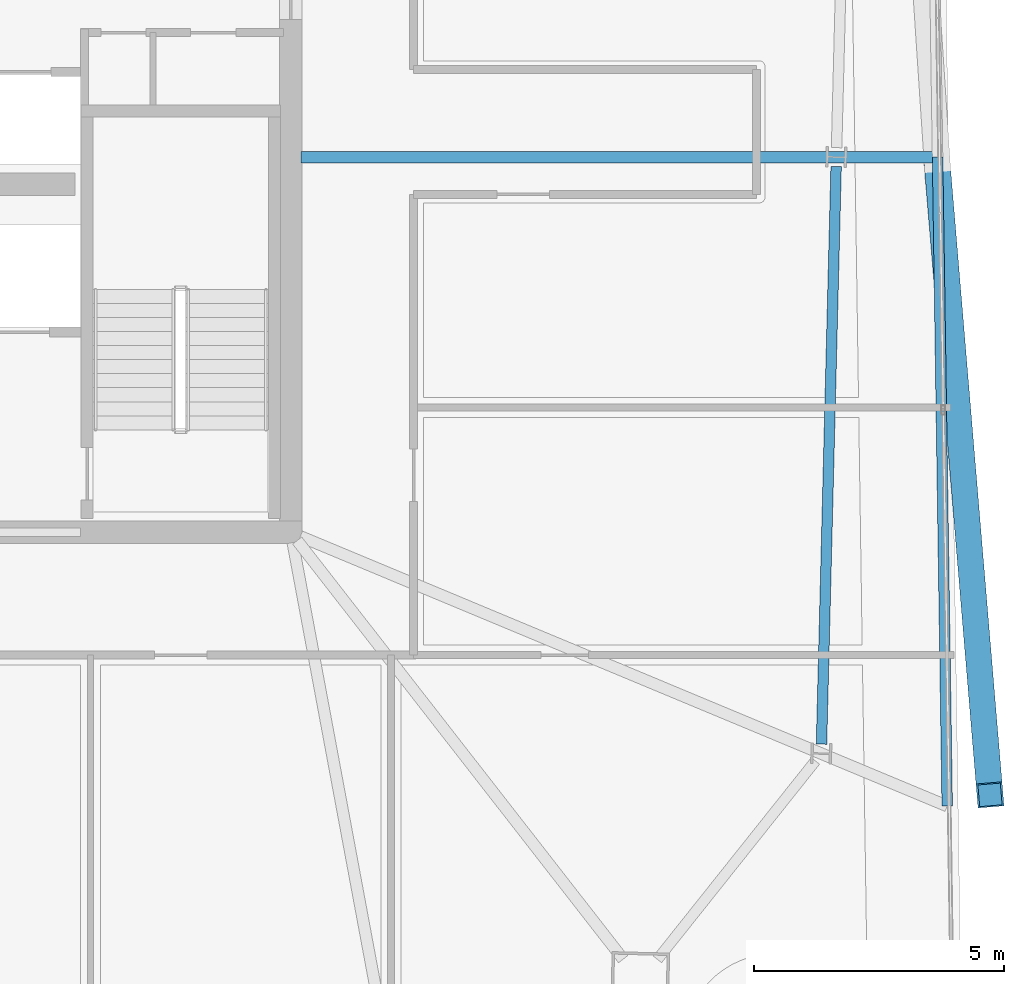
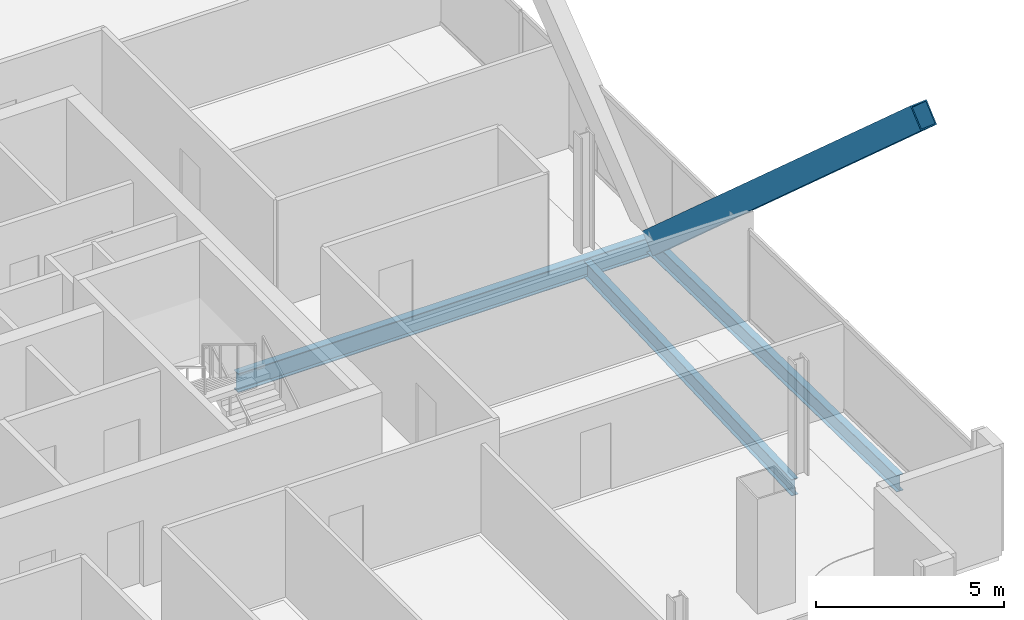
# One storey, part 11 of 25: 3 beams, 1 member.
"""IFC4 building model written with IfcOpenShell, lengths in metres."""

from ifc_helpers import new_model, si_unit, direction, frame, origin, origin_2d, place, context, subcontext, project, spatial, hollow_rectangle, i_section, extrude, material, material_profile, profile_set, type_object, element, save


model = new_model("IFC4")

# Units and contexts
model_context = context("Model", 3, precision=1e-05, world=origin(), true_north=direction((0.0, 1.0)))
body_context = subcontext(model_context, "Body", "Model", "MODEL_VIEW")
ifc_project = project(units=[si_unit("LENGTHUNIT", "METRE"), si_unit("AREAUNIT", "SQUARE_METRE"), si_unit("VOLUMEUNIT", "CUBIC_METRE"), si_unit("PLANEANGLEUNIT", "RADIAN"), si_unit("MASSUNIT", "GRAM", prefix="KILO")], contexts=[model_context])

# Site, building, storey
site_placement = place(None, origin())
site = spatial("IfcSite", under=ifc_project, at=site_placement, CompositionType="ELEMENT")
building_placement = place(site_placement, origin())
building = spatial("IfcBuilding", under=site, at=building_placement, Name="Haldenkirk Collegiate Tower", CompositionType="ELEMENT")
storey_placement = place(building_placement, frame((0.0, 0.0, 332.699951171875)))
storey = spatial("IfcBuildingStorey", under=building, at=storey_placement, Name="L84", CompositionType="ELEMENT", Elevation=332.699951171875)

# Beams
ifc_material_1 = material(Name="Steel ASTM A992 Grade 50", Category="steel")
ifc_material_profile_1 = material_profile(ifc_material_1, i_section(OverallWidth=0.22998046875, OverallDepth=0.616943359375, WebThickness=0.01318359375, FlangeThickness=0.022216796875, at=origin_2d()), Name="W24X94")
ifc_profile_set_1 = profile_set([ifc_material_profile_1], Name="Steel ASTM A992 Grade 50")
beam_type_1 = type_object("IfcBeamType", Name="BM-GIRDER-W24X94", PredefinedType="BEAM", material=ifc_profile_set_1)
beam_1_placement = place(storey_placement, frame((57.914794921875, 25.496337890625, -0.568359375), z_axis=(-1.0, 0.0, 0.0), x_axis=(0.0, -1.0, 0.0)))
element("IfcBeam", 1, at=beam_1_placement, inside=storey, type_object=beam_type_1, Name="L84 primary floor girder 06", PredefinedType="BEAM", context=body_context, shape_type="SweptSolid", body=[
    extrude(i_section(OverallWidth=0.22998046875, OverallDepth=0.616943359375, WebThickness=0.01318359375, FlangeThickness=0.022216796875, at=origin_2d()), origin(), (0.0, 0.0, 1.0), 12.709716796875),
])
ifc_material_profile_2 = material_profile(ifc_material_1, i_section(OverallWidth=0.2099609375, OverallDepth=0.537109375, WebThickness=0.010986328125, FlangeThickness=0.017333984375, at=origin_2d()), Name="W21X68")
ifc_profile_set_2 = profile_set([ifc_material_profile_2], Name="Steel ASTM A992 Grade 50")
beam_type_2 = type_object("IfcBeamType", Name="BM-SPANDREL-W21X68", PredefinedType="SPANDREL", material=ifc_profile_set_2)
beam_2_placement = place(storey_placement, frame((55.596923828125, 13.772216796875, -0.528564453125), z_axis=(0.025302458902, 0.999679841536, 0.0), x_axis=(-0.999679841536, 0.025302458902, 0.0)))
element("IfcBeam", 2, at=beam_2_placement, inside=storey, type_object=beam_type_2, Name="L84 perimeter spandrel beam 02", PredefinedType="SPANDREL", context=body_context, shape_type="SweptSolid", body=[
    extrude(i_section(OverallWidth=0.2099609375, OverallDepth=0.537109375, WebThickness=0.010986328125, FlangeThickness=0.017333984375, at=origin_2d()), origin(), (0.0, 0.0, 1.0), 11.5400390625),
])
beam_3_placement = place(storey_placement, frame((58.107177734375, 12.535888671875, -0.528564453125), z_axis=(-0.014842203228, 0.999889848435, 0.0), x_axis=(-0.999889848435, -0.014842203228, 0.0)))
element("IfcBeam", 3, at=beam_3_placement, inside=storey, type_object=beam_type_2, Name="L84 outer facade edge beam 1A", PredefinedType="SPANDREL", context=body_context, shape_type="SweptSolid", body=[
    extrude(i_section(OverallWidth=0.2099609375, OverallDepth=0.537109375, WebThickness=0.010986328125, FlangeThickness=0.017333984375, at=origin_2d()), origin(), (0.0, 0.0, 1.0), 12.9619140625),
])

# Member
ifc_material_2 = material(Name="Steel ASTM A572 Grade 50", Category="steel")
ifc_material_profile_3 = material_profile(ifc_material_2, hollow_rectangle(XDim=0.52001953125, YDim=0.719970703125, WallThickness=0.035888671875, at=origin_2d()), Name="BOX720X520X36")
ifc_profile_set_3 = profile_set([ifc_material_profile_3], Name="Steel ASTM A572 Grade 50")
member_type = type_object("IfcMemberType", Name="MBR-MEGABRACE-BOX720X520X36", PredefinedType="BRACE", material=ifc_profile_set_3)
member_placement = place(storey_placement, frame((57.919189453125, 25.2060546875, -0.27001953125), z_axis=(0.062058064621, -0.740455971598, 0.669233704128), x_axis=(0.996506285778, 0.083517796939, 0.0)))
element("IfcMember", 4, at=member_placement, inside=storey, type_object=member_type, Name="Perimeter Mega Brace Z6 L84-L86 SL", PredefinedType="BRACE", context=body_context, shape_type="SweptSolid", body=[
    extrude(hollow_rectangle(XDim=0.52001953125, YDim=0.719970703125, WallThickness=0.035888671875, at=origin_2d()), origin(), (0.0, 0.0, 1.0), 16.810302734375),
])

save(model, "model.ifc")
